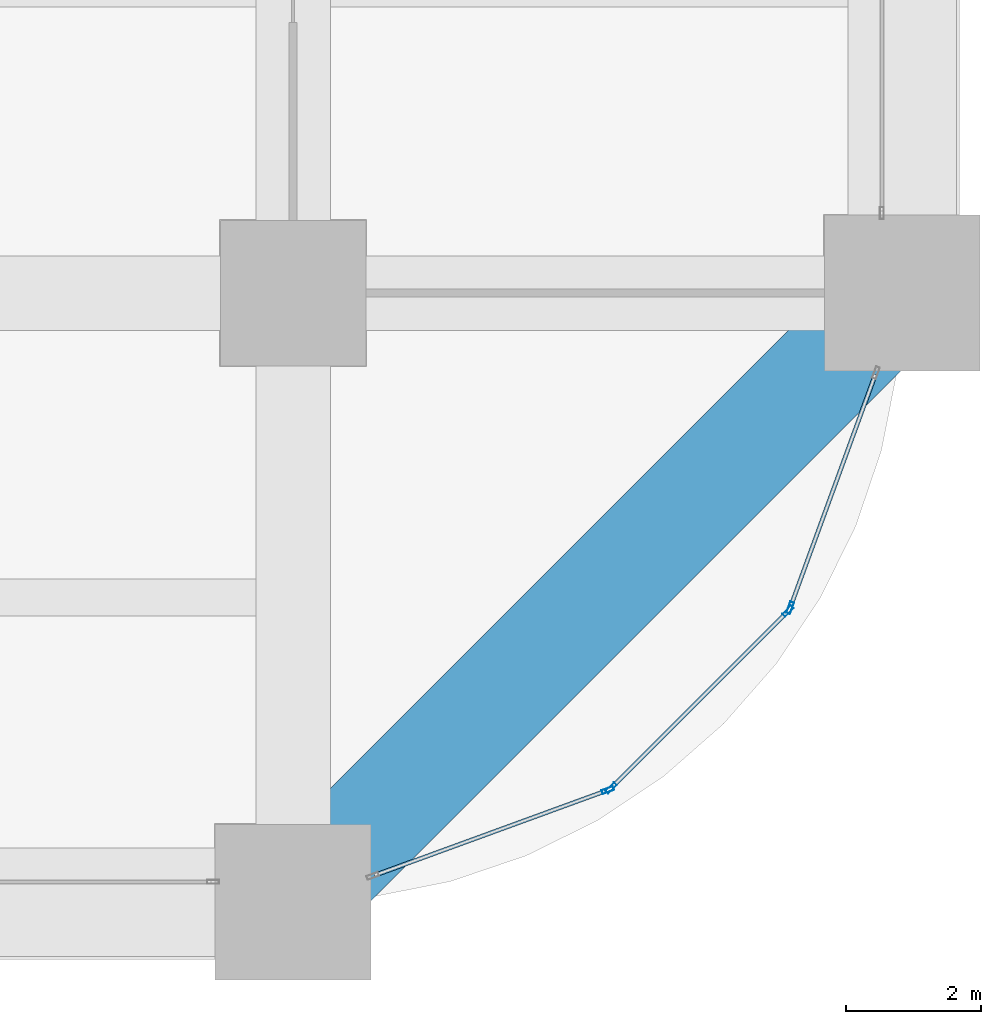
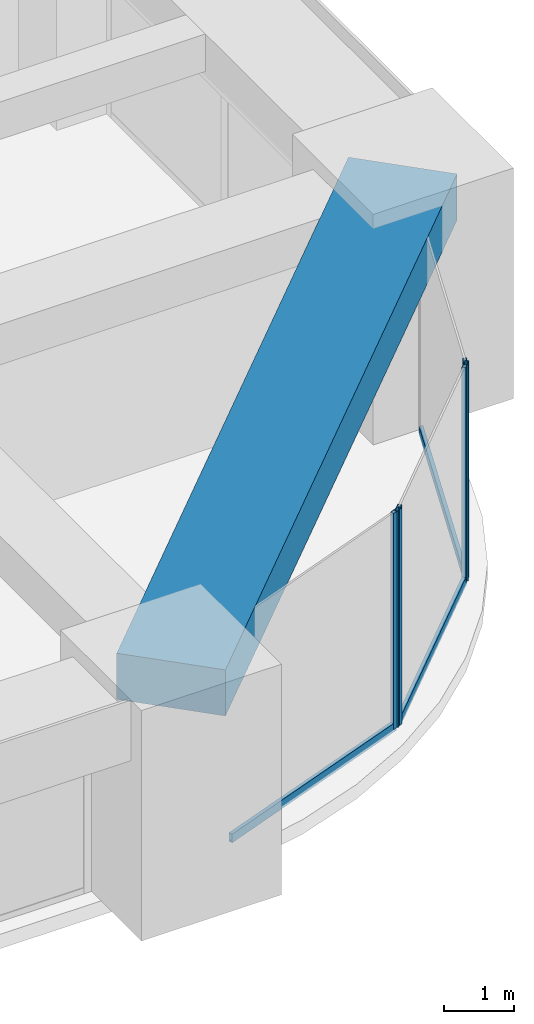
# One storey, part 16 of 44: 7 members, 1 beam, 3 elements without a shape of their own.
"""IFC4 building model written with IfcOpenShell, lengths in metres."""

from ifc_helpers import new_model, si_unit, direction, frame, origin, origin_2d, place, context, subcontext, project, spatial, rectangle, hollow_rectangle, extrude, material, material_profile, profile_set, type_object, element, aggregate, save


model = new_model("IFC4")

# Units and contexts
model_context = context("Model", 3, precision=1e-05, world=origin(), true_north=direction((0.0, 1.0)))
body_context = subcontext(model_context, "Body", "Model", "MODEL_VIEW")
ifc_project = project(units=[si_unit("LENGTHUNIT", "METRE"), si_unit("AREAUNIT", "SQUARE_METRE"), si_unit("VOLUMEUNIT", "CUBIC_METRE"), si_unit("PLANEANGLEUNIT", "RADIAN"), si_unit("MASSUNIT", "GRAM", prefix="KILO")], contexts=[model_context])

# Site, building, storey
site_placement = place(None, origin())
site = spatial("IfcSite", under=ifc_project, at=site_placement, CompositionType="ELEMENT")
building_placement = place(site_placement, origin())
building = spatial("IfcBuilding", under=site, at=building_placement, Name="Zorevar Civic Tower", CompositionType="ELEMENT")
storey_placement = place(building_placement, frame((0.0, 0.0, 63.800048828125)))
storey = spatial("IfcBuildingStorey", under=building, at=storey_placement, Name="L15", CompositionType="ELEMENT", Elevation=63.800048828125)

# Curtain wall, member
ifc_material_1 = material(Name="Dark grey solar-control glass in black aluminium frame", Category="aluminium")
curtain_wall_type = type_object("IfcCurtainWallType", Name="Curtain wall CW2 low zone", PredefinedType="NOTDEFINED", material=ifc_material_1)
curtain_wall_1_placement = place(storey_placement, origin())
curtain_wall_1 = element("IfcCurtainWall", 1, at=curtain_wall_1_placement, inside=storey, type_object=curtain_wall_type, Name="CW2 L15", PredefinedType="NOTDEFINED")
ifc_material_2 = material(Name="Aluminium, black anodised", Category="aluminium")
ifc_material_profile_1 = material_profile(ifc_material_2, hollow_rectangle(XDim=0.06005859375, YDim=0.179931640625, WallThickness=0.00390625, at=origin_2d()), Name="AL 180x60x4")
ifc_profile_set_1 = profile_set([ifc_material_profile_1], Name="Aluminium, black anodised")
member_type_1 = type_object("IfcMemberType", Name="CW2 mullion AL 180x60x4", PredefinedType="MULLION", material=ifc_profile_set_1)
member_1_placement = place(storey_placement, frame((58.650390625, 1.65478515625, 0.0), z_axis=(0.0, 0.0, 1.0), x_axis=(-0.343060400701, 0.939313345732, 0.0)))
member_1 = element("IfcMember", 2, at=member_1_placement, type_object=member_type_1, Name="CW2 mullion 2", PredefinedType="MULLION", context=body_context, shape_type="SweptSolid", body=[
    extrude(hollow_rectangle(XDim=0.06005859375, YDim=0.179931640625, WallThickness=0.00390625, at=origin_2d()), origin(), (0.0, 0.0, 1.0), 3.75),
])

# Curtain wall, members
curtain_wall_2_placement = place(storey_placement, origin())
curtain_wall_2 = element("IfcCurtainWall", 3, at=curtain_wall_2_placement, inside=storey, type_object=curtain_wall_type, Name="CW2 L15", PredefinedType="NOTDEFINED")
member_2_placement = place(storey_placement, frame((58.69970703125, 1.686279296875, 0.0), z_axis=(0.0, 0.0, 1.0), x_axis=(-0.707106781187, 0.707106781187, 0.0)))
member_2 = element("IfcMember", 4, at=member_2_placement, type_object=member_type_1, Name="CW2 mullion 1", PredefinedType="MULLION", context=body_context, shape_type="SweptSolid", body=[
    extrude(hollow_rectangle(XDim=0.06005859375, YDim=0.179931640625, WallThickness=0.00390625, at=origin_2d()), origin(), (0.0, 0.0, 1.0), 3.75),
])
member_3_placement = place(storey_placement, frame((61.313720703125, 4.30029296875, 0.0), z_axis=(0.0, 0.0, 1.0), x_axis=(-0.707106781187, 0.707106781187, 0.0)))
member_3 = element("IfcMember", 5, at=member_3_placement, type_object=member_type_1, Name="CW2 mullion 2", PredefinedType="MULLION", context=body_context, shape_type="SweptSolid", body=[
    extrude(hollow_rectangle(XDim=0.06005859375, YDim=0.179931640625, WallThickness=0.00390625, at=origin_2d()), origin(), (0.0, 0.0, 1.0), 3.75),
])

# Curtain wall, member
curtain_wall_3_placement = place(storey_placement, origin())
curtain_wall_3 = element("IfcCurtainWall", 6, at=curtain_wall_3_placement, inside=storey, type_object=curtain_wall_type, Name="CW2 L15", PredefinedType="NOTDEFINED")
member_4_placement = place(storey_placement, frame((61.34521484375, 4.349609375, 0.0), z_axis=(0.0, 0.0, 1.0), x_axis=(-0.939313345732, 0.343060400701, 0.0)))
member_4 = element("IfcMember", 7, at=member_4_placement, type_object=member_type_1, Name="CW2 mullion 1", PredefinedType="MULLION", context=body_context, shape_type="SweptSolid", body=[
    extrude(hollow_rectangle(XDim=0.06005859375, YDim=0.179931640625, WallThickness=0.00390625, at=origin_2d()), origin(), (0.0, 0.0, 1.0), 3.75),
])

# Member
ifc_material_3 = material(Name="Aluminium, black anodised", Category="aluminium")
ifc_material_profile_2 = material_profile(ifc_material_3, hollow_rectangle(XDim=0.06005859375, YDim=0.14990234375, WallThickness=0.00390625, at=origin_2d()), Name="AL 150x60x4")
ifc_profile_set_2 = profile_set([ifc_material_profile_2], Name="Aluminium, black anodised")
member_type_2 = type_object("IfcMemberType", Name="CW2 transom AL 150x60x4", PredefinedType="USERDEFINED", material=ifc_profile_set_2)
member_5_placement = place(storey_placement, frame((55.206298828125, 0.39697265625, 0.030029296875), z_axis=(0.939318180432, 0.343047162808, 0.0), x_axis=(-0.343047162808, 0.939318180432, 0.0)))
member_5 = element("IfcMember", 8, at=member_5_placement, type_object=member_type_2, Name="CW2 sill transom", ObjectType="TRANSOM", PredefinedType="USERDEFINED", context=body_context, shape_type="SweptSolid", body=[
    extrude(hollow_rectangle(XDim=0.06005859375, YDim=0.14990234375, WallThickness=0.00390625, at=origin_2d()), origin(), (0.0, 0.0, 1.0), 3.63671875),
])

aggregate(curtain_wall_1, [member_1, member_5])

member_6_placement = place(storey_placement, frame((58.720947265625, 1.70751953125, 0.030029296875), z_axis=(0.707106781187, 0.707106781187, 0.0), x_axis=(-0.707106781187, 0.707106781187, 0.0)))
member_6 = element("IfcMember", 9, at=member_6_placement, type_object=member_type_2, Name="CW2 sill transom", ObjectType="TRANSOM", PredefinedType="USERDEFINED", context=body_context, shape_type="SweptSolid", body=[
    extrude(hollow_rectangle(XDim=0.06005859375, YDim=0.14990234375, WallThickness=0.00390625, at=origin_2d()), origin(), (0.0, 0.0, 1.0), 3.63671875),
])

aggregate(curtain_wall_2, [member_2, member_3, member_6])

member_7_placement = place(storey_placement, frame((61.35546875, 4.377685546875, 0.030029296875), z_axis=(0.343047162808, 0.939318180432, 0.0), x_axis=(-0.939318180432, 0.343047162808, 0.0)))
member_7 = element("IfcMember", 10, at=member_7_placement, type_object=member_type_2, Name="CW2 sill transom", ObjectType="TRANSOM", PredefinedType="USERDEFINED", context=body_context, shape_type="SweptSolid", body=[
    extrude(hollow_rectangle(XDim=0.06005859375, YDim=0.14990234375, WallThickness=0.00390625, at=origin_2d()), origin(), (0.0, 0.0, 1.0), 3.63671875),
])

aggregate(curtain_wall_3, [member_4, member_7])

# Beam
ifc_material_4 = material(Name="Concrete C50/60", Category="concrete")
ifc_material_profile_3 = material_profile(ifc_material_4, rectangle(XDim=1.60009765625, YDim=0.800048828125, at=origin_2d()), Name="RC 1600x800")
ifc_profile_set_3 = profile_set([ifc_material_profile_3], Name="Concrete C50/60")
beam_type = type_object("IfcBeamType", Name="Edge beam RC 1600x800", PredefinedType="SPANDREL", material=ifc_profile_set_3)
beam_placement = place(storey_placement, frame((54.0, 0.0, 3.349853515625), z_axis=(0.707106781187, 0.707106781187, 0.0), x_axis=(-0.707106781187, 0.707106781187, 0.0)))
element("IfcBeam", 11, at=beam_placement, inside=storey, type_object=beam_type, Name="Corner edge beam L16", PredefinedType="SPANDREL", context=body_context, shape_type="SweptSolid", body=[
    extrude(rectangle(XDim=1.60009765625, YDim=0.800048828125, at=origin_2d()), origin(), (0.0, 0.0, 1.0), 12.72802734375),
])

save(model, "model.ifc")
